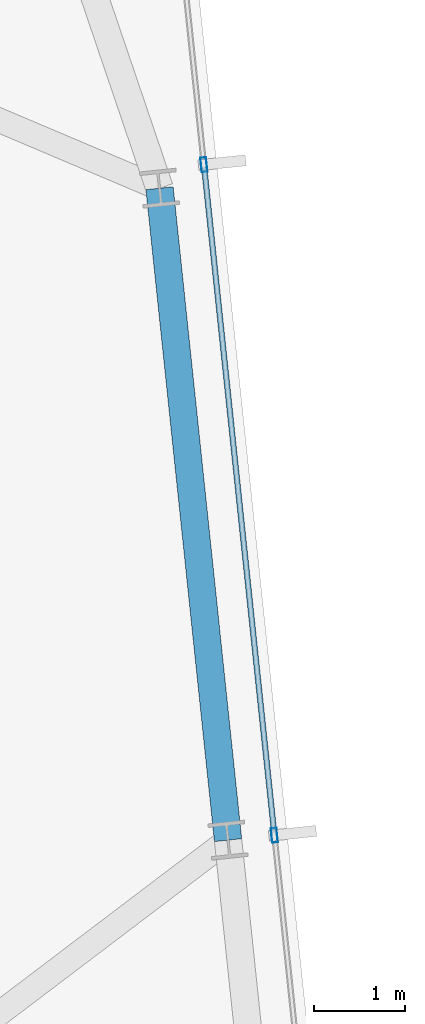
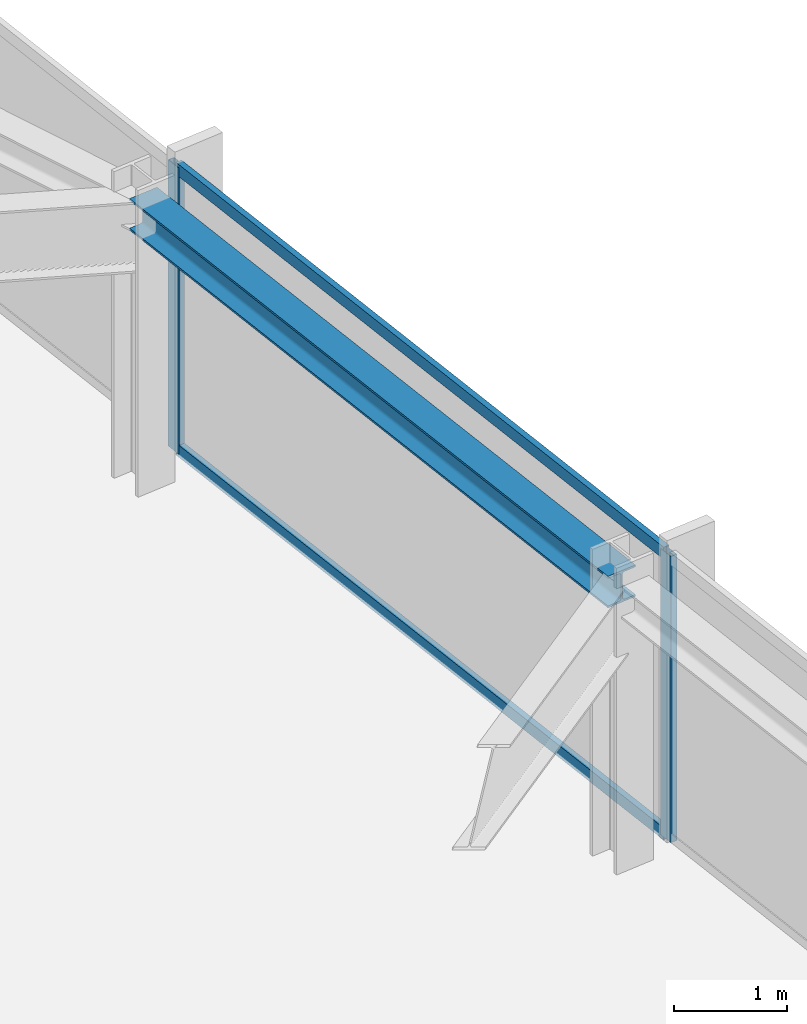
# One storey, part 19 of 33: 4 members, 1 beam, 1 element without a shape of its own.
"""IFC4 building model written with IfcOpenShell, lengths in metres."""

from ifc_helpers import new_model, si_unit, direction, frame, origin, origin_2d, place, context, subcontext, project, spatial, hollow_rectangle, i_section, extrude, material, material_profile, profile_set, type_object, element, aggregate, save


model = new_model("IFC4")

# Units and contexts
model_context = context("Model", 3, precision=1e-05, world=origin(), true_north=direction((0.0, 1.0)))
body_context = subcontext(model_context, "Body", "Model", "MODEL_VIEW")
ifc_project = project(units=[si_unit("LENGTHUNIT", "METRE"), si_unit("AREAUNIT", "SQUARE_METRE"), si_unit("VOLUMEUNIT", "CUBIC_METRE"), si_unit("PLANEANGLEUNIT", "RADIAN"), si_unit("MASSUNIT", "GRAM", prefix="KILO")], contexts=[model_context])

# Site, building, storey
site_placement = place(None, origin())
site = spatial("IfcSite", under=ifc_project, at=site_placement, CompositionType="ELEMENT")
building_placement = place(site_placement, origin())
building = spatial("IfcBuilding", under=site, at=building_placement, Name="Yelkora Congress Tower", CompositionType="ELEMENT")
storey_placement = place(building_placement, frame((0.0, 0.0, 227.60009765625)))
storey = spatial("IfcBuildingStorey", under=building, at=storey_placement, Name="L63", CompositionType="ELEMENT", Elevation=227.60009765625)

# Beam
ifc_material_1 = material(Name="Steel S355J2", Category="steel")
ifc_material_profile_1 = material_profile(ifc_material_1, i_section(OverallWidth=0.300048828125, OverallDepth=0.340087890625, WebThickness=0.011962890625, FlangeThickness=0.021484375, FilletRadius=0.027099609375, at=origin_2d()), Name="HEB 340")
ifc_profile_set_1 = profile_set([ifc_material_profile_1], Name="Steel S355J2")
beam_type = type_object("IfcBeamType", Name="BM-SPAN-HEB340", PredefinedType="SPANDREL", material=ifc_profile_set_1)
beam_placement = place(storey_placement, frame((69.60400390625, 34.296142578125, 2.909912109375), z_axis=(-0.104528914631, 0.994521847928, 0.0), x_axis=(-0.994521847928, -0.104528914631, 0.0)))
element("IfcBeam", 1, at=beam_placement, inside=storey, type_object=beam_type, Name="L63 Perimeter Beam 11", PredefinedType="SPANDREL", context=body_context, shape_type="SweptSolid", body=[
    extrude(i_section(OverallWidth=0.300048828125, OverallDepth=0.340087890625, WebThickness=0.011962890625, FlangeThickness=0.021484375, FilletRadius=0.027099609375, at=origin_2d()), origin(), (0.0, 0.0, 1.0), 7.175048828125),
])

# Curtain wall, members
ifc_material_2 = material(Name="Anodised aluminium and insulated glass", Category="aluminium")
curtain_wall_type = type_object("IfcCurtainWallType", Name="CW-SYS-B4", PredefinedType="NOTDEFINED", material=ifc_material_2)
curtain_wall_placement = place(storey_placement, origin())
curtain_wall = element("IfcCurtainWall", 2, at=curtain_wall_placement, inside=storey, type_object=curtain_wall_type, Name="L63 Unitised Curtain Wall 15", PredefinedType="NOTDEFINED")
ifc_material_3 = material(Name="Anodised aluminium 6063-T6", Category="aluminium")
ifc_material_profile_2 = material_profile(ifc_material_3, hollow_rectangle(XDim=0.06494140625, YDim=0.159912109375, WallThickness=0.00390625, at=origin_2d()), Name="ALU 65x160x4")
ifc_profile_set_2 = profile_set([ifc_material_profile_2], Name="Anodised aluminium 6063-T6")
member_type_1 = type_object("IfcMemberType", Name="MEM-ML-B4", PredefinedType="MULLION", material=ifc_profile_set_2)
member_1_placement = place(storey_placement, frame((69.33984375, 41.68896484375, 0.0), z_axis=(0.0, 0.0, 1.0), x_axis=(0.994522182968, 0.104525726898, 0.0)))
member_1 = element("IfcMember", 3, at=member_1_placement, type_object=member_type_1, Name="CW-B4 mullion 2", PredefinedType="MULLION", context=body_context, shape_type="SweptSolid", body=[
    extrude(hollow_rectangle(XDim=0.06494140625, YDim=0.159912109375, WallThickness=0.00390625, at=origin_2d()), origin(), (0.0, 0.0, 1.0), 3.079833984375),
])
member_2_placement = place(storey_placement, frame((70.111083984375, 34.349365234375, 0.0), z_axis=(0.0, 0.0, 1.0), x_axis=(0.994522182968, 0.104525726898, 0.0)))
member_2 = element("IfcMember", 4, at=member_2_placement, type_object=member_type_1, Name="CW-B4 mullion 3", PredefinedType="MULLION", context=body_context, shape_type="SweptSolid", body=[
    extrude(hollow_rectangle(XDim=0.06494140625, YDim=0.159912109375, WallThickness=0.00390625, at=origin_2d()), origin(), (0.0, 0.0, 1.0), 3.079833984375),
])
ifc_material_profile_3 = material_profile(ifc_material_3, hollow_rectangle(XDim=0.06005859375, YDim=0.1298828125, WallThickness=0.00390625, at=origin_2d()), Name="ALU 60x130x4")
ifc_profile_set_3 = profile_set([ifc_material_profile_3], Name="Anodised aluminium 6063-T6")
member_type_2 = type_object("IfcMemberType", Name="MEM-TR-B4", PredefinedType="USERDEFINED", material=ifc_profile_set_3)
member_3_placement = place(storey_placement, frame((69.34326171875, 41.65673828125, 0.02978515625), z_axis=(0.104531896307, -0.994521534535, 0.0), x_axis=(0.994521534535, 0.104531896307, 0.0)))
member_3 = element("IfcMember", 5, at=member_3_placement, type_object=member_type_2, Name="CW-B4 transom 2.1", ObjectType="TRANSOM", PredefinedType="USERDEFINED", context=body_context, shape_type="SweptSolid", body=[
    extrude(hollow_rectangle(XDim=0.06005859375, YDim=0.1298828125, WallThickness=0.00390625, at=origin_2d()), origin(), (0.0, 0.0, 1.0), 7.31494140625),
])
member_4_placement = place(storey_placement, frame((69.34326171875, 41.65673828125, 3.0498046875), z_axis=(0.104531896307, -0.994521534535, 0.0), x_axis=(0.994521534535, 0.104531896307, 0.0)))
member_4 = element("IfcMember", 6, at=member_4_placement, type_object=member_type_2, Name="CW-B4 transom 2.2", ObjectType="TRANSOM", PredefinedType="USERDEFINED", context=body_context, shape_type="SweptSolid", body=[
    extrude(hollow_rectangle(XDim=0.06005859375, YDim=0.1298828125, WallThickness=0.00390625, at=origin_2d()), origin(), (0.0, 0.0, 1.0), 7.31494140625),
])
aggregate(curtain_wall, [member_1, member_2, member_3, member_4])

save(model, "model.ifc")
